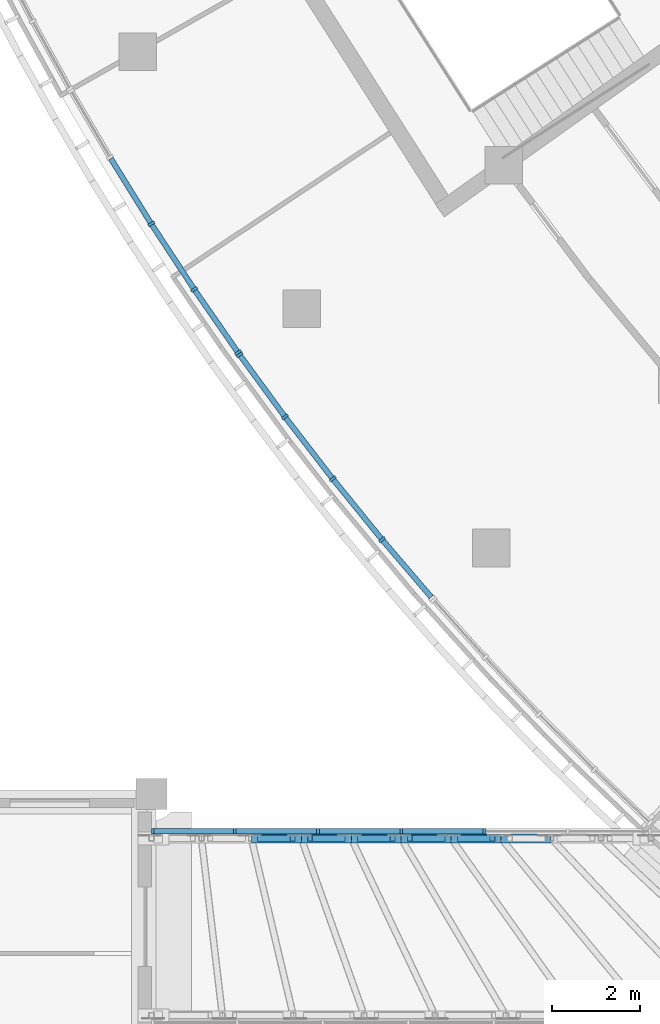
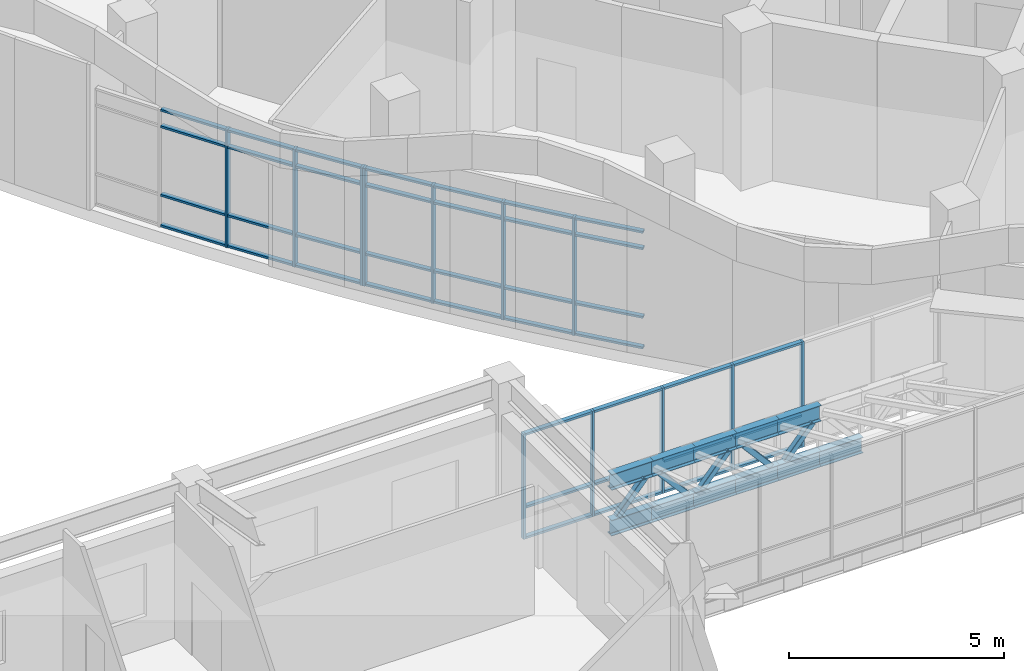
# One storey, part 6 of 136: 68 members, 3 elements without a shape of their own.
"""IFC4 building model written with IfcOpenShell, lengths in metres."""

from ifc_helpers import new_model, si_unit, direction, frame, origin, origin_2d, place, context, subcontext, project, spatial, rectangle, hollow_rectangle, i_section, extrude, material, material_profile, profile_set, type_object, element, aggregate, save


model = new_model("IFC4")

# Units and contexts
model_context = context("Model", 3, precision=1e-05, world=origin(), true_north=direction((0.0, 1.0)))
body_context = subcontext(model_context, "Body", "Model", "MODEL_VIEW")
ifc_project = project(units=[si_unit("LENGTHUNIT", "METRE"), si_unit("AREAUNIT", "SQUARE_METRE"), si_unit("VOLUMEUNIT", "CUBIC_METRE"), si_unit("PLANEANGLEUNIT", "RADIAN"), si_unit("MASSUNIT", "GRAM", prefix="KILO")], contexts=[model_context])

# Site, building, storey
site_placement = place(None, origin())
site = spatial("IfcSite", under=ifc_project, at=site_placement, CompositionType="ELEMENT")
building_placement = place(site_placement, origin())
building = spatial("IfcBuilding", under=site, at=building_placement, Name="Bougainvillea Quay General Hospital", CompositionType="ELEMENT")
storey_placement = place(building_placement, frame((0.0, 0.0, 5.39990234375)))
storey = spatial("IfcBuildingStorey", under=building, at=storey_placement, Name="L01", CompositionType="ELEMENT", Elevation=5.39990234375)

# Curtain wall, members
ifc_material_1 = material(Name="Aluminium curtain wall system, powder-coated glazed", Category="aluminium")
curtain_wall_type = type_object("IfcCurtainWallType", Name="Unitised curtain wall CW-2100", PredefinedType="NOTDEFINED", material=ifc_material_1)
curtain_wall_1_placement = place(storey_placement, origin())
curtain_wall_1 = element("IfcCurtainWall", 1, at=curtain_wall_1_placement, inside=storey, type_object=curtain_wall_type, Name="BG-L L", PredefinedType="NOTDEFINED")
ifc_material_2 = material(Name="Aluminium mullion, powder-coated charcoal", Category="aluminium")
ifc_material_profile_1 = material_profile(ifc_material_2, rectangle(XDim=0.1201171875, YDim=0.06005859375, at=origin_2d()))
ifc_profile_set_1 = profile_set([ifc_material_profile_1], Name="Aluminium mullion, powder-coated charcoal")
member_type_1 = type_object("IfcMemberType", Name="Curtain wall mullion 120x60", PredefinedType="MULLION", material=ifc_profile_set_1)
member_1_placement = place(storey_placement, frame((50.429931640625, 74.760009765625, 0.0), z_axis=(0.0, 0.0, 1.0), x_axis=(0.0, 1.0, 0.0)))
member_1 = element("IfcMember", 2, at=member_1_placement, type_object=member_type_1, Name="BG-L mullion 1", PredefinedType="MULLION", context=body_context, shape_type="SweptSolid", body=[
    extrude(rectangle(XDim=0.1201171875, YDim=0.06005859375, at=origin_2d()), origin(), (0.0, 0.0, 1.0), 3.0),
])
member_2_placement = place(storey_placement, frame((52.28125, 74.760009765625, 0.0), z_axis=(0.0, 0.0, 1.0), x_axis=(0.0, 1.0, 0.0)))
member_2 = element("IfcMember", 3, at=member_2_placement, type_object=member_type_1, Name="BG-L mullion 2", PredefinedType="MULLION", context=body_context, shape_type="SweptSolid", body=[
    extrude(rectangle(XDim=0.1201171875, YDim=0.06005859375, at=origin_2d()), origin(), (0.0, 0.0, 1.0), 3.0),
])
member_3_placement = place(storey_placement, frame((54.16259765625, 74.760009765625, 0.0), z_axis=(0.0, 0.0, 1.0), x_axis=(0.0, 1.0, 0.0)))
member_3 = element("IfcMember", 4, at=member_3_placement, type_object=member_type_1, Name="BG-L mullion 3", PredefinedType="MULLION", context=body_context, shape_type="SweptSolid", body=[
    extrude(rectangle(XDim=0.1201171875, YDim=0.06005859375, at=origin_2d()), origin(), (0.0, 0.0, 1.0), 3.0),
])
member_4_placement = place(storey_placement, frame((56.043701171875, 74.760009765625, 0.0), z_axis=(0.0, 0.0, 1.0), x_axis=(0.0, 1.0, 0.0)))
member_4 = element("IfcMember", 5, at=member_4_placement, type_object=member_type_1, Name="BG-L mullion 4", PredefinedType="MULLION", context=body_context, shape_type="SweptSolid", body=[
    extrude(rectangle(XDim=0.1201171875, YDim=0.06005859375, at=origin_2d()), origin(), (0.0, 0.0, 1.0), 3.0),
])
member_5_placement = place(storey_placement, frame((57.925048828125, 74.760009765625, 0.0), z_axis=(0.0, 0.0, 1.0), x_axis=(0.0, 1.0, 0.0)))
member_5 = element("IfcMember", 6, at=member_5_placement, type_object=member_type_1, Name="BG-L mullion 5", PredefinedType="MULLION", context=body_context, shape_type="SweptSolid", body=[
    extrude(rectangle(XDim=0.1201171875, YDim=0.06005859375, at=origin_2d()), origin(), (0.0, 0.0, 1.0), 3.0),
])

curtain_wall_2_placement = place(storey_placement, origin())
curtain_wall_2 = element("IfcCurtainWall", 7, at=curtain_wall_2_placement, inside=storey, type_object=curtain_wall_type, Name="CW-W05 a01b4", PredefinedType="NOTDEFINED")
ifc_material_profile_2 = material_profile(ifc_material_2, rectangle(XDim=0.159912109375, YDim=0.06005859375, at=origin_2d()))
ifc_profile_set_2 = profile_set([ifc_material_profile_2], Name="Aluminium mullion, powder-coated charcoal")
member_type_2 = type_object("IfcMemberType", Name="Curtain wall mullion 160x60", PredefinedType="MULLION", material=ifc_profile_set_2)
member_6_placement = place(storey_placement, frame((55.611572265625, 81.353271484375, 0.0), z_axis=(0.0, 0.0, 1.0), x_axis=(-0.768294695498, -0.64009629031, 0.0)))
member_6 = element("IfcMember", 8, at=member_6_placement, type_object=member_type_2, Name="CW-W05 mullion 2", PredefinedType="MULLION", context=body_context, shape_type="SweptSolid", body=[
    extrude(rectangle(XDim=0.159912109375, YDim=0.06005859375, at=origin_2d()), origin(), (0.0, 0.0, 1.0), 3.35009765625),
])
member_7_placement = place(storey_placement, frame((54.49658203125, 82.7265625, 0.0), z_axis=(0.0, 0.0, 1.0), x_axis=(-0.784278527167, -0.620408890833, 0.0)))
member_7 = element("IfcMember", 9, at=member_7_placement, type_object=member_type_2, Name="CW-W05 mullion 3", PredefinedType="MULLION", context=body_context, shape_type="SweptSolid", body=[
    extrude(rectangle(XDim=0.159912109375, YDim=0.06005859375, at=origin_2d()), origin(), (0.0, 0.0, 1.0), 3.35009765625),
])
member_8_placement = place(storey_placement, frame((53.4169921875, 84.12744140625, 0.0), z_axis=(0.0, 0.0, 1.0), x_axis=(-0.799758007688, -0.600322520933, 0.0)))
member_8 = element("IfcMember", 10, at=member_8_placement, type_object=member_type_2, Name="CW-W05 mullion 4", PredefinedType="MULLION", context=body_context, shape_type="SweptSolid", body=[
    extrude(rectangle(XDim=0.159912109375, YDim=0.06005859375, at=origin_2d()), origin(), (0.0, 0.0, 1.0), 3.35009765625),
])
member_9_placement = place(storey_placement, frame((52.390869140625, 85.53125, 0.0), z_axis=(0.0, 0.0, 1.0), x_axis=(-0.807305492643, -0.590133748864, 0.0)))
member_9 = element("IfcMember", 11, at=member_9_placement, type_object=member_type_2, Name="CW-W05 mullion 5", PredefinedType="MULLION", context=body_context, shape_type="SweptSolid", body=[
    extrude(rectangle(XDim=0.159912109375, YDim=0.06005859375, at=origin_2d()), origin(), (0.0, 0.0, 1.0), 3.35009765625),
])

curtain_wall_3_placement = place(storey_placement, origin())
curtain_wall_3 = element("IfcCurtainWall", 12, at=curtain_wall_3_placement, inside=storey, type_object=curtain_wall_type, Name="CW-W06 a01b5", PredefinedType="NOTDEFINED")
member_10_placement = place(storey_placement, frame((52.35595703125, 85.580078125, 0.0), z_axis=(0.0, 0.0, 1.0), x_axis=(-0.822009884883, -0.569473220753, 0.0)))
member_10 = element("IfcMember", 13, at=member_10_placement, type_object=member_type_2, Name="CW-W06 mullion 1", PredefinedType="MULLION", context=body_context, shape_type="SweptSolid", body=[
    extrude(rectangle(XDim=0.159912109375, YDim=0.06005859375, at=origin_2d()), origin(), (0.0, 0.0, 1.0), 3.35009765625),
])
member_11_placement = place(storey_placement, frame((51.36572265625, 87.009521484375, 0.0), z_axis=(0.0, 0.0, 1.0), x_axis=(-0.82916442806, -0.55900478642, 0.0)))
member_11 = element("IfcMember", 14, at=member_11_placement, type_object=member_type_2, Name="CW-W06 mullion 2", PredefinedType="MULLION", context=body_context, shape_type="SweptSolid", body=[
    extrude(rectangle(XDim=0.159912109375, YDim=0.06005859375, at=origin_2d()), origin(), (0.0, 0.0, 1.0), 3.35009765625),
])
member_12_placement = place(storey_placement, frame((50.395751953125, 88.488525390625, 0.0), z_axis=(0.0, 0.0, 1.0), x_axis=(-0.843072457331, -0.537799992275, 0.0)))
member_12 = element("IfcMember", 15, at=member_12_placement, type_object=member_type_2, Name="CW-W06 mullion 3", PredefinedType="MULLION", context=body_context, shape_type="SweptSolid", body=[
    extrude(rectangle(XDim=0.159912109375, YDim=0.06005859375, at=origin_2d()), origin(), (0.0, 0.0, 1.0), 3.35009765625),
])

# Member
ifc_material_3 = material(Name="Aluminium transom, powder-coated charcoal", Category="aluminium")
ifc_material_profile_3 = material_profile(ifc_material_3, rectangle(XDim=0.1201171875, YDim=0.06005859375, at=origin_2d()))
ifc_profile_set_3 = profile_set([ifc_material_profile_3], Name="Aluminium transom, powder-coated charcoal")
member_type_3 = type_object("IfcMemberType", Name="Curtain wall transom 120x60", PredefinedType="USERDEFINED", material=ifc_profile_set_3)
member_13_placement = place(storey_placement, frame((56.721923828125, 80.054443359375, 0.030029296875), z_axis=(-0.649844836937, 0.760066896994, 0.0), x_axis=(-0.760066896994, -0.649844836937, 0.0)))
member_13 = element("IfcMember", 16, at=member_13_placement, type_object=member_type_3, Name="CW-W05 transom 1.1", ObjectType="TRANSOM", PredefinedType="USERDEFINED", context=body_context, shape_type="SweptSolid", body=[
    extrude(rectangle(XDim=0.1201171875, YDim=0.06005859375, at=origin_2d()), origin(), (0.0, 0.0, 1.0), 1.678955078125),
])

member_14_placement = place(storey_placement, frame((56.721923828125, 80.054443359375, 0.900146484375), z_axis=(-0.649844836937, 0.760066896994, 0.0), x_axis=(-0.760066896994, -0.649844836937, 0.0)))
member_14 = element("IfcMember", 17, at=member_14_placement, type_object=member_type_3, Name="CW-W05 transom 1.2", ObjectType="TRANSOM", PredefinedType="USERDEFINED", context=body_context, shape_type="SweptSolid", body=[
    extrude(rectangle(XDim=0.1201171875, YDim=0.06005859375, at=origin_2d()), origin(), (0.0, 0.0, 1.0), 1.678955078125),
])

member_15_placement = place(storey_placement, frame((56.721923828125, 80.054443359375, 2.85009765625), z_axis=(-0.649844836937, 0.760066896994, 0.0), x_axis=(-0.760066896994, -0.649844836937, 0.0)))
member_15 = element("IfcMember", 18, at=member_15_placement, type_object=member_type_3, Name="CW-W05 transom 1.3", ObjectType="TRANSOM", PredefinedType="USERDEFINED", context=body_context, shape_type="SweptSolid", body=[
    extrude(rectangle(XDim=0.1201171875, YDim=0.06005859375, at=origin_2d()), origin(), (0.0, 0.0, 1.0), 1.678955078125),
])

member_16_placement = place(storey_placement, frame((56.721923828125, 80.054443359375, 3.320068359375), z_axis=(-0.649844836937, 0.760066896994, 0.0), x_axis=(-0.760066896994, -0.649844836937, 0.0)))
member_16 = element("IfcMember", 19, at=member_16_placement, type_object=member_type_3, Name="CW-W05 transom 1.4", ObjectType="TRANSOM", PredefinedType="USERDEFINED", context=body_context, shape_type="SweptSolid", body=[
    extrude(rectangle(XDim=0.1201171875, YDim=0.06005859375, at=origin_2d()), origin(), (0.0, 0.0, 1.0), 1.678955078125),
])

member_17_placement = place(storey_placement, frame((55.592529296875, 81.37646484375, 0.030029296875), z_axis=(-0.630323663485, 0.776332454075, 0.0), x_axis=(-0.776332454075, -0.630323663485, 0.0)))
member_17 = element("IfcMember", 20, at=member_17_placement, type_object=member_type_3, Name="CW-W05 transom 2.1", ObjectType="TRANSOM", PredefinedType="USERDEFINED", context=body_context, shape_type="SweptSolid", body=[
    extrude(rectangle(XDim=0.1201171875, YDim=0.06005859375, at=origin_2d()), origin(), (0.0, 0.0, 1.0), 1.708984375),
])

member_18_placement = place(storey_placement, frame((55.592529296875, 81.37646484375, 0.900146484375), z_axis=(-0.630323663485, 0.776332454075, 0.0), x_axis=(-0.776332454075, -0.630323663485, 0.0)))
member_18 = element("IfcMember", 21, at=member_18_placement, type_object=member_type_3, Name="CW-W05 transom 2.2", ObjectType="TRANSOM", PredefinedType="USERDEFINED", context=body_context, shape_type="SweptSolid", body=[
    extrude(rectangle(XDim=0.1201171875, YDim=0.06005859375, at=origin_2d()), origin(), (0.0, 0.0, 1.0), 1.708984375),
])

member_19_placement = place(storey_placement, frame((55.592529296875, 81.37646484375, 2.85009765625), z_axis=(-0.630323663485, 0.776332454075, 0.0), x_axis=(-0.776332454075, -0.630323663485, 0.0)))
member_19 = element("IfcMember", 22, at=member_19_placement, type_object=member_type_3, Name="CW-W05 transom 2.3", ObjectType="TRANSOM", PredefinedType="USERDEFINED", context=body_context, shape_type="SweptSolid", body=[
    extrude(rectangle(XDim=0.1201171875, YDim=0.06005859375, at=origin_2d()), origin(), (0.0, 0.0, 1.0), 1.708984375),
])

member_20_placement = place(storey_placement, frame((55.592529296875, 81.37646484375, 3.320068359375), z_axis=(-0.630323663485, 0.776332454075, 0.0), x_axis=(-0.776332454075, -0.630323663485, 0.0)))
member_20 = element("IfcMember", 23, at=member_20_placement, type_object=member_type_3, Name="CW-W05 transom 2.4", ObjectType="TRANSOM", PredefinedType="USERDEFINED", context=body_context, shape_type="SweptSolid", body=[
    extrude(rectangle(XDim=0.1201171875, YDim=0.06005859375, at=origin_2d()), origin(), (0.0, 0.0, 1.0), 1.708984375),
])

member_21_placement = place(storey_placement, frame((54.478271484375, 82.750244140625, 0.030029296875), z_axis=(-0.610373415052, 0.792113813916, 0.0), x_axis=(-0.792113813916, -0.610373415052, 0.0)))
member_21 = element("IfcMember", 24, at=member_21_placement, type_object=member_type_3, Name="CW-W05 transom 3.1", ObjectType="TRANSOM", PredefinedType="USERDEFINED", context=body_context, shape_type="SweptSolid", body=[
    extrude(rectangle(XDim=0.1201171875, YDim=0.06005859375, at=origin_2d()), origin(), (0.0, 0.0, 1.0), 1.708740234375),
])

member_22_placement = place(storey_placement, frame((54.478271484375, 82.750244140625, 0.900146484375), z_axis=(-0.610373415052, 0.792113813916, 0.0), x_axis=(-0.792113813916, -0.610373415052, 0.0)))
member_22 = element("IfcMember", 25, at=member_22_placement, type_object=member_type_3, Name="CW-W05 transom 3.2", ObjectType="TRANSOM", PredefinedType="USERDEFINED", context=body_context, shape_type="SweptSolid", body=[
    extrude(rectangle(XDim=0.1201171875, YDim=0.06005859375, at=origin_2d()), origin(), (0.0, 0.0, 1.0), 1.708740234375),
])

member_23_placement = place(storey_placement, frame((54.478271484375, 82.750244140625, 2.85009765625), z_axis=(-0.610373415052, 0.792113813916, 0.0), x_axis=(-0.792113813916, -0.610373415052, 0.0)))
member_23 = element("IfcMember", 26, at=member_23_placement, type_object=member_type_3, Name="CW-W05 transom 3.3", ObjectType="TRANSOM", PredefinedType="USERDEFINED", context=body_context, shape_type="SweptSolid", body=[
    extrude(rectangle(XDim=0.1201171875, YDim=0.06005859375, at=origin_2d()), origin(), (0.0, 0.0, 1.0), 1.708740234375),
])

member_24_placement = place(storey_placement, frame((54.478271484375, 82.750244140625, 3.320068359375), z_axis=(-0.610373415052, 0.792113813916, 0.0), x_axis=(-0.792113813916, -0.610373415052, 0.0)))
member_24 = element("IfcMember", 27, at=member_24_placement, type_object=member_type_3, Name="CW-W05 transom 3.4", ObjectType="TRANSOM", PredefinedType="USERDEFINED", context=body_context, shape_type="SweptSolid", body=[
    extrude(rectangle(XDim=0.1201171875, YDim=0.06005859375, at=origin_2d()), origin(), (0.0, 0.0, 1.0), 1.708740234375),
])

member_25_placement = place(storey_placement, frame((53.399169921875, 84.15185546875, 0.030029296875), z_axis=(-0.590158785572, 0.807287190417, 0.0), x_axis=(-0.807287190417, -0.590158785572, 0.0)))
member_25 = element("IfcMember", 28, at=member_25_placement, type_object=member_type_3, Name="CW-W05 transom 4.1", ObjectType="TRANSOM", PredefinedType="USERDEFINED", context=body_context, shape_type="SweptSolid", body=[
    extrude(rectangle(XDim=0.1201171875, YDim=0.06005859375, at=origin_2d()), origin(), (0.0, 0.0, 1.0), 1.6787109375),
])

member_26_placement = place(storey_placement, frame((53.399169921875, 84.15185546875, 0.900146484375), z_axis=(-0.590158785572, 0.807287190417, 0.0), x_axis=(-0.807287190417, -0.590158785572, 0.0)))
member_26 = element("IfcMember", 29, at=member_26_placement, type_object=member_type_3, Name="CW-W05 transom 4.2", ObjectType="TRANSOM", PredefinedType="USERDEFINED", context=body_context, shape_type="SweptSolid", body=[
    extrude(rectangle(XDim=0.1201171875, YDim=0.06005859375, at=origin_2d()), origin(), (0.0, 0.0, 1.0), 1.6787109375),
])

member_27_placement = place(storey_placement, frame((53.399169921875, 84.15185546875, 2.85009765625), z_axis=(-0.590158785572, 0.807287190417, 0.0), x_axis=(-0.807287190417, -0.590158785572, 0.0)))
member_27 = element("IfcMember", 30, at=member_27_placement, type_object=member_type_3, Name="CW-W05 transom 4.3", ObjectType="TRANSOM", PredefinedType="USERDEFINED", context=body_context, shape_type="SweptSolid", body=[
    extrude(rectangle(XDim=0.1201171875, YDim=0.06005859375, at=origin_2d()), origin(), (0.0, 0.0, 1.0), 1.6787109375),
])

member_28_placement = place(storey_placement, frame((53.399169921875, 84.15185546875, 3.320068359375), z_axis=(-0.590158785572, 0.807287190417, 0.0), x_axis=(-0.807287190417, -0.590158785572, 0.0)))
member_28 = element("IfcMember", 31, at=member_28_placement, type_object=member_type_3, Name="CW-W05 transom 4.4", ObjectType="TRANSOM", PredefinedType="USERDEFINED", context=body_context, shape_type="SweptSolid", body=[
    extrude(rectangle(XDim=0.1201171875, YDim=0.06005859375, at=origin_2d()), origin(), (0.0, 0.0, 1.0), 1.6787109375),
])

aggregate(curtain_wall_2, [member_6, member_7, member_8, member_9, member_13, member_14, member_15, member_16, member_17, member_18, member_19, member_20, member_21, member_22, member_23, member_24, member_25, member_26, member_27, member_28])

member_29_placement = place(storey_placement, frame((52.3388671875, 85.604736328125, 0.030029296875), z_axis=(-0.569444364357, 0.82202987531, 0.0), x_axis=(-0.82202987531, -0.569444364357, 0.0)))
member_29 = element("IfcMember", 32, at=member_29_placement, type_object=member_type_3, Name="CW-W06 transom 1.1", ObjectType="TRANSOM", PredefinedType="USERDEFINED", context=body_context, shape_type="SweptSolid", body=[
    extrude(rectangle(XDim=0.1201171875, YDim=0.06005859375, at=origin_2d()), origin(), (0.0, 0.0, 1.0), 1.678955078125),
])

member_30_placement = place(storey_placement, frame((52.3388671875, 85.604736328125, 0.900146484375), z_axis=(-0.569444364357, 0.82202987531, 0.0), x_axis=(-0.82202987531, -0.569444364357, 0.0)))
member_30 = element("IfcMember", 33, at=member_30_placement, type_object=member_type_3, Name="CW-W06 transom 1.2", ObjectType="TRANSOM", PredefinedType="USERDEFINED", context=body_context, shape_type="SweptSolid", body=[
    extrude(rectangle(XDim=0.1201171875, YDim=0.06005859375, at=origin_2d()), origin(), (0.0, 0.0, 1.0), 1.678955078125),
])

member_31_placement = place(storey_placement, frame((52.3388671875, 85.604736328125, 2.85009765625), z_axis=(-0.569444364357, 0.82202987531, 0.0), x_axis=(-0.82202987531, -0.569444364357, 0.0)))
member_31 = element("IfcMember", 34, at=member_31_placement, type_object=member_type_3, Name="CW-W06 transom 1.3", ObjectType="TRANSOM", PredefinedType="USERDEFINED", context=body_context, shape_type="SweptSolid", body=[
    extrude(rectangle(XDim=0.1201171875, YDim=0.06005859375, at=origin_2d()), origin(), (0.0, 0.0, 1.0), 1.678955078125),
])

member_32_placement = place(storey_placement, frame((52.3388671875, 85.604736328125, 3.320068359375), z_axis=(-0.569444364357, 0.82202987531, 0.0), x_axis=(-0.82202987531, -0.569444364357, 0.0)))
member_32 = element("IfcMember", 35, at=member_32_placement, type_object=member_type_3, Name="CW-W06 transom 1.4", ObjectType="TRANSOM", PredefinedType="USERDEFINED", context=body_context, shape_type="SweptSolid", body=[
    extrude(rectangle(XDim=0.1201171875, YDim=0.06005859375, at=origin_2d()), origin(), (0.0, 0.0, 1.0), 1.678955078125),
])

member_33_placement = place(storey_placement, frame((51.349365234375, 87.034423828125, 0.030029296875), z_axis=(-0.548453588198, 0.836180998105, 0.0), x_axis=(-0.836180998105, -0.548453588198, 0.0)))
member_33 = element("IfcMember", 36, at=member_33_placement, type_object=member_type_3, Name="CW-W06 transom 2.1", ObjectType="TRANSOM", PredefinedType="USERDEFINED", context=body_context, shape_type="SweptSolid", body=[
    extrude(rectangle(XDim=0.1201171875, YDim=0.06005859375, at=origin_2d()), origin(), (0.0, 0.0, 1.0), 1.708984375),
])

member_34_placement = place(storey_placement, frame((51.349365234375, 87.034423828125, 0.900146484375), z_axis=(-0.548453588198, 0.836180998105, 0.0), x_axis=(-0.836180998105, -0.548453588198, 0.0)))
member_34 = element("IfcMember", 37, at=member_34_placement, type_object=member_type_3, Name="CW-W06 transom 2.2", ObjectType="TRANSOM", PredefinedType="USERDEFINED", context=body_context, shape_type="SweptSolid", body=[
    extrude(rectangle(XDim=0.1201171875, YDim=0.06005859375, at=origin_2d()), origin(), (0.0, 0.0, 1.0), 1.708984375),
])

member_35_placement = place(storey_placement, frame((51.349365234375, 87.034423828125, 2.85009765625), z_axis=(-0.548453588198, 0.836180998105, 0.0), x_axis=(-0.836180998105, -0.548453588198, 0.0)))
member_35 = element("IfcMember", 38, at=member_35_placement, type_object=member_type_3, Name="CW-W06 transom 2.3", ObjectType="TRANSOM", PredefinedType="USERDEFINED", context=body_context, shape_type="SweptSolid", body=[
    extrude(rectangle(XDim=0.1201171875, YDim=0.06005859375, at=origin_2d()), origin(), (0.0, 0.0, 1.0), 1.708984375),
])

member_36_placement = place(storey_placement, frame((51.349365234375, 87.034423828125, 3.320068359375), z_axis=(-0.548453588198, 0.836180998105, 0.0), x_axis=(-0.836180998105, -0.548453588198, 0.0)))
member_36 = element("IfcMember", 39, at=member_36_placement, type_object=member_type_3, Name="CW-W06 transom 2.4", ObjectType="TRANSOM", PredefinedType="USERDEFINED", context=body_context, shape_type="SweptSolid", body=[
    extrude(rectangle(XDim=0.1201171875, YDim=0.06005859375, at=origin_2d()), origin(), (0.0, 0.0, 1.0), 1.708984375),
])

member_37_placement = place(storey_placement, frame((50.3798828125, 88.513916015625, 0.030029296875), z_axis=(-0.527067635723, 0.84982333892, 0.0), x_axis=(-0.84982333892, -0.527067635723, 0.0)))
member_37 = element("IfcMember", 40, at=member_37_placement, type_object=member_type_3, Name="CW-W06 transom 3.1", ObjectType="TRANSOM", PredefinedType="USERDEFINED", context=body_context, shape_type="SweptSolid", body=[
    extrude(rectangle(XDim=0.1201171875, YDim=0.06005859375, at=origin_2d()), origin(), (0.0, 0.0, 1.0), 1.708740234375),
])

member_38_placement = place(storey_placement, frame((50.3798828125, 88.513916015625, 0.900146484375), z_axis=(-0.527067635723, 0.84982333892, 0.0), x_axis=(-0.84982333892, -0.527067635723, 0.0)))
member_38 = element("IfcMember", 41, at=member_38_placement, type_object=member_type_3, Name="CW-W06 transom 3.2", ObjectType="TRANSOM", PredefinedType="USERDEFINED", context=body_context, shape_type="SweptSolid", body=[
    extrude(rectangle(XDim=0.1201171875, YDim=0.06005859375, at=origin_2d()), origin(), (0.0, 0.0, 1.0), 1.708740234375),
])

member_39_placement = place(storey_placement, frame((50.3798828125, 88.513916015625, 2.85009765625), z_axis=(-0.527067635723, 0.84982333892, 0.0), x_axis=(-0.84982333892, -0.527067635723, 0.0)))
member_39 = element("IfcMember", 42, at=member_39_placement, type_object=member_type_3, Name="CW-W06 transom 3.3", ObjectType="TRANSOM", PredefinedType="USERDEFINED", context=body_context, shape_type="SweptSolid", body=[
    extrude(rectangle(XDim=0.1201171875, YDim=0.06005859375, at=origin_2d()), origin(), (0.0, 0.0, 1.0), 1.708740234375),
])

member_40_placement = place(storey_placement, frame((50.3798828125, 88.513916015625, 3.320068359375), z_axis=(-0.527067635723, 0.84982333892, 0.0), x_axis=(-0.84982333892, -0.527067635723, 0.0)))
member_40 = element("IfcMember", 43, at=member_40_placement, type_object=member_type_3, Name="CW-W06 transom 3.4", ObjectType="TRANSOM", PredefinedType="USERDEFINED", context=body_context, shape_type="SweptSolid", body=[
    extrude(rectangle(XDim=0.1201171875, YDim=0.06005859375, at=origin_2d()), origin(), (0.0, 0.0, 1.0), 1.708740234375),
])

aggregate(curtain_wall_3, [member_10, member_11, member_12, member_29, member_30, member_31, member_32, member_33, member_34, member_35, member_36, member_37, member_38, member_39, member_40])

member_41_placement = place(storey_placement, frame((50.4599609375, 74.760009765625, 0.030029296875), z_axis=(1.0, 0.0, 0.0), x_axis=(0.0, 1.0, 0.0)))
member_41 = element("IfcMember", 44, at=member_41_placement, type_object=member_type_3, Name="BG-L transom 1.1", ObjectType="TRANSOM", PredefinedType="USERDEFINED", context=body_context, shape_type="SweptSolid", body=[
    extrude(rectangle(XDim=0.1201171875, YDim=0.06005859375, at=origin_2d()), origin(), (0.0, 0.0, 1.0), 1.791259765625),
])

member_42_placement = place(storey_placement, frame((50.4599609375, 74.760009765625, 0.900146484375), z_axis=(1.0, 0.0, 0.0), x_axis=(0.0, 1.0, 0.0)))
member_42 = element("IfcMember", 45, at=member_42_placement, type_object=member_type_3, Name="BG-L transom 1.2", ObjectType="TRANSOM", PredefinedType="USERDEFINED", context=body_context, shape_type="SweptSolid", body=[
    extrude(rectangle(XDim=0.1201171875, YDim=0.06005859375, at=origin_2d()), origin(), (0.0, 0.0, 1.0), 1.791259765625),
])

member_43_placement = place(storey_placement, frame((50.4599609375, 74.760009765625, 2.97021484375), z_axis=(1.0, 0.0, 0.0), x_axis=(0.0, 1.0, 0.0)))
member_43 = element("IfcMember", 46, at=member_43_placement, type_object=member_type_3, Name="BG-L transom 1.3", ObjectType="TRANSOM", PredefinedType="USERDEFINED", context=body_context, shape_type="SweptSolid", body=[
    extrude(rectangle(XDim=0.1201171875, YDim=0.06005859375, at=origin_2d()), origin(), (0.0, 0.0, 1.0), 1.791259765625),
])

member_44_placement = place(storey_placement, frame((52.311279296875, 74.760009765625, 0.030029296875), z_axis=(1.0, 0.0, 0.0), x_axis=(0.0, 1.0, 0.0)))
member_44 = element("IfcMember", 47, at=member_44_placement, type_object=member_type_3, Name="BG-L transom 2.1", ObjectType="TRANSOM", PredefinedType="USERDEFINED", context=body_context, shape_type="SweptSolid", body=[
    extrude(rectangle(XDim=0.1201171875, YDim=0.06005859375, at=origin_2d()), origin(), (0.0, 0.0, 1.0), 1.8212890625),
])

member_45_placement = place(storey_placement, frame((52.311279296875, 74.760009765625, 0.900146484375), z_axis=(1.0, 0.0, 0.0), x_axis=(0.0, 1.0, 0.0)))
member_45 = element("IfcMember", 48, at=member_45_placement, type_object=member_type_3, Name="BG-L transom 2.2", ObjectType="TRANSOM", PredefinedType="USERDEFINED", context=body_context, shape_type="SweptSolid", body=[
    extrude(rectangle(XDim=0.1201171875, YDim=0.06005859375, at=origin_2d()), origin(), (0.0, 0.0, 1.0), 1.8212890625),
])

member_46_placement = place(storey_placement, frame((52.311279296875, 74.760009765625, 2.97021484375), z_axis=(1.0, 0.0, 0.0), x_axis=(0.0, 1.0, 0.0)))
member_46 = element("IfcMember", 49, at=member_46_placement, type_object=member_type_3, Name="BG-L transom 2.3", ObjectType="TRANSOM", PredefinedType="USERDEFINED", context=body_context, shape_type="SweptSolid", body=[
    extrude(rectangle(XDim=0.1201171875, YDim=0.06005859375, at=origin_2d()), origin(), (0.0, 0.0, 1.0), 1.8212890625),
])

member_47_placement = place(storey_placement, frame((54.1923828125, 74.760009765625, 0.030029296875), z_axis=(1.0, 0.0, 0.0), x_axis=(0.0, 1.0, 0.0)))
member_47 = element("IfcMember", 50, at=member_47_placement, type_object=member_type_3, Name="BG-L transom 3.1", ObjectType="TRANSOM", PredefinedType="USERDEFINED", context=body_context, shape_type="SweptSolid", body=[
    extrude(rectangle(XDim=0.1201171875, YDim=0.06005859375, at=origin_2d()), origin(), (0.0, 0.0, 1.0), 1.8212890625),
])

member_48_placement = place(storey_placement, frame((54.1923828125, 74.760009765625, 0.900146484375), z_axis=(1.0, 0.0, 0.0), x_axis=(0.0, 1.0, 0.0)))
member_48 = element("IfcMember", 51, at=member_48_placement, type_object=member_type_3, Name="BG-L transom 3.2", ObjectType="TRANSOM", PredefinedType="USERDEFINED", context=body_context, shape_type="SweptSolid", body=[
    extrude(rectangle(XDim=0.1201171875, YDim=0.06005859375, at=origin_2d()), origin(), (0.0, 0.0, 1.0), 1.8212890625),
])

member_49_placement = place(storey_placement, frame((54.1923828125, 74.760009765625, 2.97021484375), z_axis=(1.0, 0.0, 0.0), x_axis=(0.0, 1.0, 0.0)))
member_49 = element("IfcMember", 52, at=member_49_placement, type_object=member_type_3, Name="BG-L transom 3.3", ObjectType="TRANSOM", PredefinedType="USERDEFINED", context=body_context, shape_type="SweptSolid", body=[
    extrude(rectangle(XDim=0.1201171875, YDim=0.06005859375, at=origin_2d()), origin(), (0.0, 0.0, 1.0), 1.8212890625),
])

member_50_placement = place(storey_placement, frame((56.07373046875, 74.760009765625, 0.030029296875), z_axis=(1.0, 0.0, 0.0), x_axis=(0.0, 1.0, 0.0)))
member_50 = element("IfcMember", 53, at=member_50_placement, type_object=member_type_3, Name="BG-L transom 4.1", ObjectType="TRANSOM", PredefinedType="USERDEFINED", context=body_context, shape_type="SweptSolid", body=[
    extrude(rectangle(XDim=0.1201171875, YDim=0.06005859375, at=origin_2d()), origin(), (0.0, 0.0, 1.0), 1.8212890625),
])

member_51_placement = place(storey_placement, frame((56.07373046875, 74.760009765625, 0.900146484375), z_axis=(1.0, 0.0, 0.0), x_axis=(0.0, 1.0, 0.0)))
member_51 = element("IfcMember", 54, at=member_51_placement, type_object=member_type_3, Name="BG-L transom 4.2", ObjectType="TRANSOM", PredefinedType="USERDEFINED", context=body_context, shape_type="SweptSolid", body=[
    extrude(rectangle(XDim=0.1201171875, YDim=0.06005859375, at=origin_2d()), origin(), (0.0, 0.0, 1.0), 1.8212890625),
])

member_52_placement = place(storey_placement, frame((56.07373046875, 74.760009765625, 2.97021484375), z_axis=(1.0, 0.0, 0.0), x_axis=(0.0, 1.0, 0.0)))
member_52 = element("IfcMember", 55, at=member_52_placement, type_object=member_type_3, Name="BG-L transom 4.3", ObjectType="TRANSOM", PredefinedType="USERDEFINED", context=body_context, shape_type="SweptSolid", body=[
    extrude(rectangle(XDim=0.1201171875, YDim=0.06005859375, at=origin_2d()), origin(), (0.0, 0.0, 1.0), 1.8212890625),
])

aggregate(curtain_wall_1, [member_1, member_2, member_3, member_4, member_5, member_41, member_42, member_43, member_44, member_45, member_46, member_47, member_48, member_49, member_50, member_51, member_52])

# Members
ifc_material_4 = material(Name="Steel Q355", Category="steel")
ifc_material_profile_4 = material_profile(ifc_material_4, i_section(OverallWidth=0.199951171875, OverallDepth=0.449951171875, WebThickness=0.009033203125, FlangeThickness=0.013916015625, FilletRadius=0.012939453125, at=origin_2d()))
ifc_profile_set_4 = profile_set([ifc_material_profile_4], Name="Steel Q355")
member_type_4 = type_object("IfcMemberType", Name="HN 450x200x9x14 Q355 CHORD", PredefinedType="CHORD", material=ifc_profile_set_4)
for number, where, z_axis, x_axis, name in (
    (56, (52.657470703125, 74.60009765625, -0.344970703125), (1.0, 0.0, 0.0), (0.0, 1.0, 0.0), "Bottom chord"),
    (57, (52.657470703125, 74.60009765625, 0.955078125), (1.0, 0.0, 0.0), (0.0, 1.0, 0.0), "Top chord"),
):
    element("IfcMember", number, at=place(storey_placement, frame(where, z_axis=z_axis, x_axis=x_axis)), inside=storey, type_object=member_type_4, Name=name, PredefinedType="CHORD", context=body_context, shape_type="SweptSolid", body=[
        extrude(i_section(OverallWidth=0.199951171875, OverallDepth=0.449951171875, WebThickness=0.009033203125, FlangeThickness=0.013916015625, FilletRadius=0.012939453125, at=origin_2d()), origin(), (0.0, 0.0, 1.0), 1.128662109375),
    ])
for number, where, z_axis, x_axis, name in (
    (58, (53.7861328125, 74.60009765625, -0.344970703125), (1.0, 0.0, 0.0), (0.0, 1.0, 0.0), "Bottom chord"),
    (59, (53.7861328125, 74.60009765625, 0.955078125), (1.0, 0.0, 0.0), (0.0, 1.0, 0.0), "Top chord"),
):
    element("IfcMember", number, at=place(storey_placement, frame(where, z_axis=z_axis, x_axis=x_axis)), inside=storey, type_object=member_type_4, Name=name, PredefinedType="CHORD", context=body_context, shape_type="SweptSolid", body=[
        extrude(i_section(OverallWidth=0.199951171875, OverallDepth=0.449951171875, WebThickness=0.009033203125, FlangeThickness=0.013916015625, FilletRadius=0.012939453125, at=origin_2d()), origin(), (0.0, 0.0, 1.0), 1.12890625),
    ])
for number, where, z_axis, x_axis, name in (
    (60, (54.9150390625, 74.60009765625, -0.344970703125), (1.0, 0.0, 0.0), (0.0, 1.0, 0.0), "Bottom chord"),
    (61, (54.9150390625, 74.60009765625, 0.955078125), (1.0, 0.0, 0.0), (0.0, 1.0, 0.0), "Top chord"),
    (62, (56.043701171875, 74.60009765625, -0.344970703125), (1.0, 0.0, 0.0), (0.0, 1.0, 0.0), "Bottom chord"),
    (63, (56.043701171875, 74.60009765625, 0.955078125), (1.0, 0.0, 0.0), (0.0, 1.0, 0.0), "Top chord"),
):
    element("IfcMember", number, at=place(storey_placement, frame(where, z_axis=z_axis, x_axis=x_axis)), inside=storey, type_object=member_type_4, Name=name, PredefinedType="CHORD", context=body_context, shape_type="SweptSolid", body=[
        extrude(i_section(OverallWidth=0.199951171875, OverallDepth=0.449951171875, WebThickness=0.009033203125, FlangeThickness=0.013916015625, FilletRadius=0.012939453125, at=origin_2d()), origin(), (0.0, 0.0, 1.0), 1.128662109375),
    ])
for number, where, z_axis, x_axis, name in (
    (64, (57.17236328125, 74.60009765625, -0.344970703125), (1.0, 0.0, 0.0), (0.0, 1.0, 0.0), "Bottom chord"),
    (65, (57.17236328125, 74.60009765625, 0.955078125), (1.0, 0.0, 0.0), (0.0, 1.0, 0.0), "Top chord"),
):
    element("IfcMember", number, at=place(storey_placement, frame(where, z_axis=z_axis, x_axis=x_axis)), inside=storey, type_object=member_type_4, Name=name, PredefinedType="CHORD", context=body_context, shape_type="SweptSolid", body=[
        extrude(i_section(OverallWidth=0.199951171875, OverallDepth=0.449951171875, WebThickness=0.009033203125, FlangeThickness=0.013916015625, FilletRadius=0.012939453125, at=origin_2d()), origin(), (0.0, 0.0, 1.0), 1.12890625),
    ])
member_53_placement = place(storey_placement, frame((58.30126953125, 74.60009765625, -0.344970703125), z_axis=(1.0, 0.0, 0.0), x_axis=(0.0, 1.0, 0.0)))
element("IfcMember", 66, at=member_53_placement, inside=storey, type_object=member_type_4, Name="Bottom chord", PredefinedType="CHORD", context=body_context, shape_type="SweptSolid", body=[
    extrude(i_section(OverallWidth=0.199951171875, OverallDepth=0.449951171875, WebThickness=0.009033203125, FlangeThickness=0.013916015625, FilletRadius=0.012939453125, at=origin_2d()), origin(), (0.0, 0.0, 1.0), 1.128662109375),
])
ifc_material_profile_5 = material_profile(ifc_material_4, hollow_rectangle(XDim=0.14990234375, YDim=0.14990234375, WallThickness=0.008056640625, InnerFilletRadius=0.008056640625, OuterFilletRadius=0.01611328125, at=origin_2d()))
ifc_profile_set_5 = profile_set([ifc_material_profile_5], Name="Steel Q355")
member_type_5 = type_object("IfcMemberType", Name="SHS 150x150x8 Q355 BRACE", PredefinedType="BRACE", material=ifc_profile_set_5)
for number, where, z_axis, x_axis, name in (
    (67, (52.852783203125, 74.60009765625, -0.119873046875), (0.655689909374, 0.0, 0.755030292601), (0.0, 1.0, 0.0), "Truss diagonal"),
    (68, (54.7197265625, 74.60009765625, -0.119873046875), (-0.655689909374, 0.0, 0.755030292601), (0.0, -1.0, 0.0), "Truss diagonal"),
    (69, (55.1103515625, 74.60009765625, -0.119873046875), (0.655689909374, 0.0, 0.755030292601), (0.0, 1.0, 0.0), "Truss diagonal"),
    (70, (56.97705078125, 74.60009765625, -0.119873046875), (-0.655689909374, 0.0, 0.755030292601), (0.0, -1.0, 0.0), "Truss diagonal"),
    (71, (57.367919921875, 74.60009765625, -0.119873046875), (0.655689909374, 0.0, 0.755030292601), (0.0, 1.0, 0.0), "Truss diagonal"),
):
    element("IfcMember", number, at=place(storey_placement, frame(where, z_axis=z_axis, x_axis=x_axis)), inside=storey, type_object=member_type_5, Name=name, PredefinedType="BRACE", context=body_context, shape_type="SweptSolid", body=[
        extrude(hollow_rectangle(XDim=0.14990234375, YDim=0.14990234375, WallThickness=0.008056640625, InnerFilletRadius=0.008056640625, OuterFilletRadius=0.01611328125, at=origin_2d()), origin(), (0.0, 0.0, 1.0), 1.12548828125),
    ])

save(model, "model.ifc")
